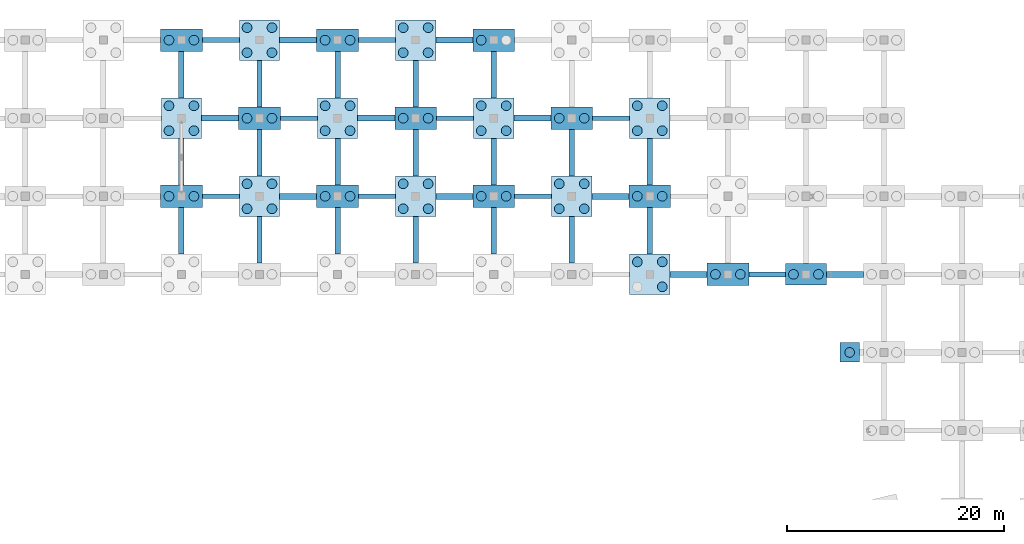
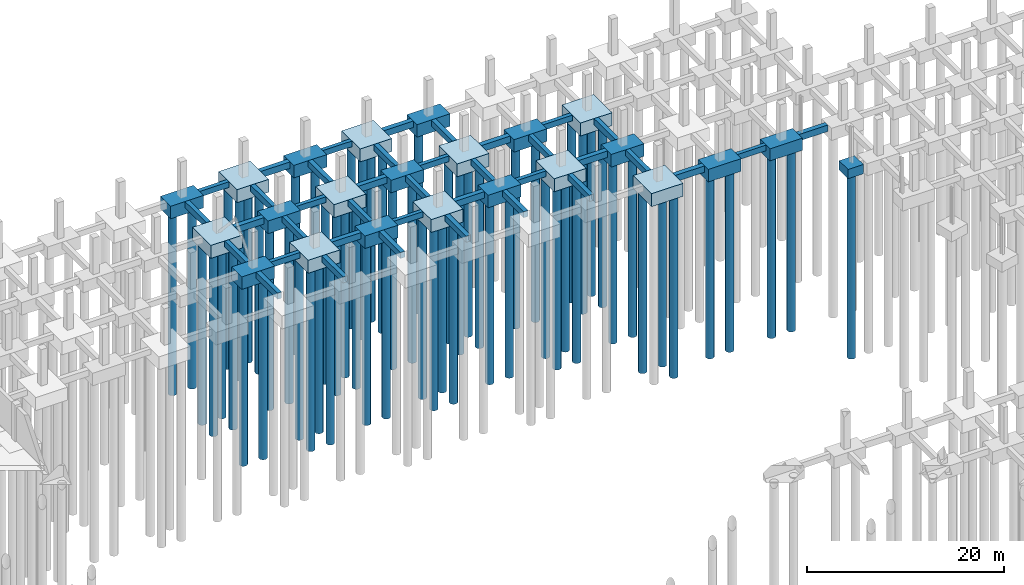
# One storey, part 9 of 36: 63 piles, 61 footings.
"""IFC4 building model written with IfcOpenShell, lengths in metres."""

from ifc_helpers import new_model, si_unit, direction, frame, origin, origin_2d, place, context, subcontext, project, spatial, rectangle, circle, extrude, material, material_profile, profile_set, type_object, element, save


model = new_model("IFC4")

# Units and contexts
model_context = context("Model", 3, precision=1e-05, world=origin(), true_north=direction((0.0, 1.0)))
body_context = subcontext(model_context, "Body", "Model", "MODEL_VIEW")
ifc_project = project(units=[si_unit("LENGTHUNIT", "METRE"), si_unit("AREAUNIT", "SQUARE_METRE"), si_unit("VOLUMEUNIT", "CUBIC_METRE"), si_unit("PLANEANGLEUNIT", "RADIAN"), si_unit("MASSUNIT", "GRAM", prefix="KILO")], contexts=[model_context])

# Site, building, storey
site_placement = place(None, origin())
site = spatial("IfcSite", under=ifc_project, at=site_placement, CompositionType="ELEMENT")
building_placement = place(site_placement, origin())
building = spatial("IfcBuilding", under=site, at=building_placement, Name="Kalmorath City Hall", CompositionType="ELEMENT")
storey_placement = place(building_placement, frame((0.0, 0.0, -4.5)))
storey = spatial("IfcBuildingStorey", under=building, at=storey_placement, Name="B1", CompositionType="ELEMENT", Elevation=-4.5)

# Piles
ifc_material_1 = material(Name="Concrete C40/50", Category="concrete")
ifc_material_profile_1 = material_profile(ifc_material_1, circle(Radius=0.449951171875, at=origin_2d()), Name="PILE-D900")
ifc_profile_set_1 = profile_set([ifc_material_profile_1], Name="Concrete C40/50")
pile_type = type_object("IfcPileType", Name="Bored concrete pile D900", PredefinedType="BORED", material=ifc_profile_set_1)
for number, where, z_axis, x_axis, name in (
    (1, (63.64990234375, 100.800048828125, -1.449951171875), (0.0, 0.0, -1.0), (1.0, 0.0, 0.0), "Bored pile PL-900 10.15.1"),
    (2, (65.949951171875, 100.800048828125, -1.449951171875), (0.0, 0.0, -1.0), (1.0, 0.0, 0.0), "Bored pile PL-900 10.15.2"),
):
    element("IfcPile", number, at=place(storey_placement, frame(where, z_axis=z_axis, x_axis=x_axis)), inside=storey, type_object=pile_type, Name=name, PredefinedType="BORED", context=body_context, shape_type="SweptSolid", body=[
        extrude(circle(Radius=0.449951171875, at=origin_2d()), origin(), (0.0, 0.0, 1.0), 22.550048828125),
    ])
for number, where, z_axis, x_axis, name in (
    (3, (63.64990234375, 106.85009765625, -1.5), (0.0, 0.0, -1.0), (1.0, 0.0, 0.0), "Bored pile PL-900 10.16.1"),
    (4, (65.949951171875, 106.85009765625, -1.5), (0.0, 0.0, -1.0), (1.0, 0.0, 0.0), "Bored pile PL-900 10.16.2"),
    (5, (63.64990234375, 109.14990234375, -1.5), (0.0, 0.0, -1.0), (1.0, 0.0, 0.0), "Bored pile PL-900 10.16.3"),
    (6, (65.949951171875, 109.14990234375, -1.5), (0.0, 0.0, -1.0), (1.0, 0.0, 0.0), "Bored pile PL-900 10.16.4"),
):
    element("IfcPile", number, at=place(storey_placement, frame(where, z_axis=z_axis, x_axis=x_axis)), inside=storey, type_object=pile_type, Name=name, PredefinedType="BORED", context=body_context, shape_type="SweptSolid", body=[
        extrude(circle(Radius=0.449951171875, at=origin_2d()), origin(), (0.0, 0.0, 1.0), 22.5),
    ])
for number, where, z_axis, x_axis, name in (
    (7, (63.64990234375, 115.199951171875, -1.449951171875), (0.0, 0.0, -1.0), (1.0, 0.0, 0.0), "Bored pile PL-900 10.17.1"),
    (8, (65.949951171875, 115.199951171875, -1.449951171875), (0.0, 0.0, -1.0), (1.0, 0.0, 0.0), "Bored pile PL-900 10.17.2"),
):
    element("IfcPile", number, at=place(storey_placement, frame(where, z_axis=z_axis, x_axis=x_axis)), inside=storey, type_object=pile_type, Name=name, PredefinedType="BORED", context=body_context, shape_type="SweptSolid", body=[
        extrude(circle(Radius=0.449951171875, at=origin_2d()), origin(), (0.0, 0.0, 1.0), 22.550048828125),
    ])
for number, where, z_axis, x_axis, name in (
    (9, (70.85009765625, 99.64990234375, -1.5), (0.0, 0.0, -1.0), (1.0, 0.0, 0.0), "Bored pile PL-900 11.15.1"),
    (10, (73.14990234375, 99.64990234375, -1.5), (0.0, 0.0, -1.0), (1.0, 0.0, 0.0), "Bored pile PL-900 11.15.2"),
    (11, (70.85009765625, 101.949951171875, -1.5), (0.0, 0.0, -1.0), (1.0, 0.0, 0.0), "Bored pile PL-900 11.15.3"),
    (12, (73.14990234375, 101.949951171875, -1.5), (0.0, 0.0, -1.0), (1.0, 0.0, 0.0), "Bored pile PL-900 11.15.4"),
):
    element("IfcPile", number, at=place(storey_placement, frame(where, z_axis=z_axis, x_axis=x_axis)), inside=storey, type_object=pile_type, Name=name, PredefinedType="BORED", context=body_context, shape_type="SweptSolid", body=[
        extrude(circle(Radius=0.449951171875, at=origin_2d()), origin(), (0.0, 0.0, 1.0), 22.5),
    ])
for number, where, z_axis, x_axis, name in (
    (13, (70.85009765625, 108.0, -1.449951171875), (0.0, 0.0, -1.0), (1.0, 0.0, 0.0), "Bored pile PL-900 11.16.1"),
    (14, (73.14990234375, 108.0, -1.449951171875), (0.0, 0.0, -1.0), (1.0, 0.0, 0.0), "Bored pile PL-900 11.16.2"),
):
    element("IfcPile", number, at=place(storey_placement, frame(where, z_axis=z_axis, x_axis=x_axis)), inside=storey, type_object=pile_type, Name=name, PredefinedType="BORED", context=body_context, shape_type="SweptSolid", body=[
        extrude(circle(Radius=0.449951171875, at=origin_2d()), origin(), (0.0, 0.0, 1.0), 22.550048828125),
    ])
for number, where, z_axis, x_axis, name in (
    (15, (70.85009765625, 114.050048828125, -1.5), (0.0, 0.0, -1.0), (1.0, 0.0, 0.0), "Bored pile PL-900 11.17.1"),
    (16, (73.14990234375, 114.050048828125, -1.5), (0.0, 0.0, -1.0), (1.0, 0.0, 0.0), "Bored pile PL-900 11.17.2"),
    (17, (70.85009765625, 116.35009765625, -1.5), (0.0, 0.0, -1.0), (1.0, 0.0, 0.0), "Bored pile PL-900 11.17.3"),
    (18, (73.14990234375, 116.35009765625, -1.5), (0.0, 0.0, -1.0), (1.0, 0.0, 0.0), "Bored pile PL-900 11.17.4"),
):
    element("IfcPile", number, at=place(storey_placement, frame(where, z_axis=z_axis, x_axis=x_axis)), inside=storey, type_object=pile_type, Name=name, PredefinedType="BORED", context=body_context, shape_type="SweptSolid", body=[
        extrude(circle(Radius=0.449951171875, at=origin_2d()), origin(), (0.0, 0.0, 1.0), 22.5),
    ])
for number, where, z_axis, x_axis, name in (
    (19, (78.050048828125, 100.800048828125, -1.449951171875), (0.0, 0.0, -1.0), (1.0, 0.0, 0.0), "Bored pile PL-900 12.15.1"),
    (20, (80.35009765625, 100.800048828125, -1.449951171875), (0.0, 0.0, -1.0), (1.0, 0.0, 0.0), "Bored pile PL-900 12.15.2"),
):
    element("IfcPile", number, at=place(storey_placement, frame(where, z_axis=z_axis, x_axis=x_axis)), inside=storey, type_object=pile_type, Name=name, PredefinedType="BORED", context=body_context, shape_type="SweptSolid", body=[
        extrude(circle(Radius=0.449951171875, at=origin_2d()), origin(), (0.0, 0.0, 1.0), 22.550048828125),
    ])
for number, where, z_axis, x_axis, name in (
    (21, (78.050048828125, 106.85009765625, -1.5), (0.0, 0.0, -1.0), (1.0, 0.0, 0.0), "Bored pile PL-900 12.16.1"),
    (22, (80.35009765625, 106.85009765625, -1.5), (0.0, 0.0, -1.0), (1.0, 0.0, 0.0), "Bored pile PL-900 12.16.2"),
    (23, (78.050048828125, 109.14990234375, -1.5), (0.0, 0.0, -1.0), (1.0, 0.0, 0.0), "Bored pile PL-900 12.16.3"),
    (24, (80.35009765625, 109.14990234375, -1.5), (0.0, 0.0, -1.0), (1.0, 0.0, 0.0), "Bored pile PL-900 12.16.4"),
):
    element("IfcPile", number, at=place(storey_placement, frame(where, z_axis=z_axis, x_axis=x_axis)), inside=storey, type_object=pile_type, Name=name, PredefinedType="BORED", context=body_context, shape_type="SweptSolid", body=[
        extrude(circle(Radius=0.449951171875, at=origin_2d()), origin(), (0.0, 0.0, 1.0), 22.5),
    ])
for number, where, z_axis, x_axis, name in (
    (25, (78.050048828125, 115.199951171875, -1.449951171875), (0.0, 0.0, -1.0), (1.0, 0.0, 0.0), "Bored pile PL-900 12.17.1"),
    (26, (80.35009765625, 115.199951171875, -1.449951171875), (0.0, 0.0, -1.0), (1.0, 0.0, 0.0), "Bored pile PL-900 12.17.2"),
):
    element("IfcPile", number, at=place(storey_placement, frame(where, z_axis=z_axis, x_axis=x_axis)), inside=storey, type_object=pile_type, Name=name, PredefinedType="BORED", context=body_context, shape_type="SweptSolid", body=[
        extrude(circle(Radius=0.449951171875, at=origin_2d()), origin(), (0.0, 0.0, 1.0), 22.550048828125),
    ])
for number, where, z_axis, x_axis, name in (
    (27, (85.25, 99.64990234375, -1.5), (0.0, 0.0, -1.0), (1.0, 0.0, 0.0), "Bored pile PL-900 13.15.1"),
    (28, (87.550048828125, 99.64990234375, -1.5), (0.0, 0.0, -1.0), (1.0, 0.0, 0.0), "Bored pile PL-900 13.15.2"),
    (29, (85.25, 101.949951171875, -1.5), (0.0, 0.0, -1.0), (1.0, 0.0, 0.0), "Bored pile PL-900 13.15.3"),
    (30, (87.550048828125, 101.949951171875, -1.5), (0.0, 0.0, -1.0), (1.0, 0.0, 0.0), "Bored pile PL-900 13.15.4"),
):
    element("IfcPile", number, at=place(storey_placement, frame(where, z_axis=z_axis, x_axis=x_axis)), inside=storey, type_object=pile_type, Name=name, PredefinedType="BORED", context=body_context, shape_type="SweptSolid", body=[
        extrude(circle(Radius=0.449951171875, at=origin_2d()), origin(), (0.0, 0.0, 1.0), 22.5),
    ])
for number, where, z_axis, x_axis, name in (
    (31, (85.25, 108.0, -1.449951171875), (0.0, 0.0, -1.0), (1.0, 0.0, 0.0), "Bored pile PL-900 13.16.1"),
    (32, (87.550048828125, 108.0, -1.449951171875), (0.0, 0.0, -1.0), (1.0, 0.0, 0.0), "Bored pile PL-900 13.16.2"),
):
    element("IfcPile", number, at=place(storey_placement, frame(where, z_axis=z_axis, x_axis=x_axis)), inside=storey, type_object=pile_type, Name=name, PredefinedType="BORED", context=body_context, shape_type="SweptSolid", body=[
        extrude(circle(Radius=0.449951171875, at=origin_2d()), origin(), (0.0, 0.0, 1.0), 22.550048828125),
    ])
for number, where, z_axis, x_axis, name in (
    (33, (85.25, 114.050048828125, -1.5), (0.0, 0.0, -1.0), (1.0, 0.0, 0.0), "Bored pile PL-900 13.17.1"),
    (34, (87.550048828125, 114.050048828125, -1.5), (0.0, 0.0, -1.0), (1.0, 0.0, 0.0), "Bored pile PL-900 13.17.2"),
    (35, (85.25, 116.35009765625, -1.5), (0.0, 0.0, -1.0), (1.0, 0.0, 0.0), "Bored pile PL-900 13.17.3"),
    (36, (87.550048828125, 116.35009765625, -1.5), (0.0, 0.0, -1.0), (1.0, 0.0, 0.0), "Bored pile PL-900 13.17.4"),
):
    element("IfcPile", number, at=place(storey_placement, frame(where, z_axis=z_axis, x_axis=x_axis)), inside=storey, type_object=pile_type, Name=name, PredefinedType="BORED", context=body_context, shape_type="SweptSolid", body=[
        extrude(circle(Radius=0.449951171875, at=origin_2d()), origin(), (0.0, 0.0, 1.0), 22.5),
    ])
for number, where, z_axis, x_axis, name in (
    (37, (92.449951171875, 100.800048828125, -1.449951171875), (0.0, 0.0, -1.0), (1.0, 0.0, 0.0), "Bored pile PL-900 14.15.1"),
    (38, (94.75, 100.800048828125, -1.449951171875), (0.0, 0.0, -1.0), (1.0, 0.0, 0.0), "Bored pile PL-900 14.15.2"),
):
    element("IfcPile", number, at=place(storey_placement, frame(where, z_axis=z_axis, x_axis=x_axis)), inside=storey, type_object=pile_type, Name=name, PredefinedType="BORED", context=body_context, shape_type="SweptSolid", body=[
        extrude(circle(Radius=0.449951171875, at=origin_2d()), origin(), (0.0, 0.0, 1.0), 22.550048828125),
    ])
for number, where, z_axis, x_axis, name in (
    (39, (92.449951171875, 106.85009765625, -1.5), (0.0, 0.0, -1.0), (1.0, 0.0, 0.0), "Bored pile PL-900 14.16.1"),
    (40, (94.75, 106.85009765625, -1.5), (0.0, 0.0, -1.0), (1.0, 0.0, 0.0), "Bored pile PL-900 14.16.2"),
    (41, (92.449951171875, 109.14990234375, -1.5), (0.0, 0.0, -1.0), (1.0, 0.0, 0.0), "Bored pile PL-900 14.16.3"),
    (42, (94.75, 109.14990234375, -1.5), (0.0, 0.0, -1.0), (1.0, 0.0, 0.0), "Bored pile PL-900 14.16.4"),
):
    element("IfcPile", number, at=place(storey_placement, frame(where, z_axis=z_axis, x_axis=x_axis)), inside=storey, type_object=pile_type, Name=name, PredefinedType="BORED", context=body_context, shape_type="SweptSolid", body=[
        extrude(circle(Radius=0.449951171875, at=origin_2d()), origin(), (0.0, 0.0, 1.0), 22.5),
    ])
pile_1_placement = place(storey_placement, frame((92.449951171875, 115.199951171875, -1.449951171875), z_axis=(0.0, 0.0, -1.0), x_axis=(1.0, 0.0, 0.0)))
element("IfcPile", 43, at=pile_1_placement, inside=storey, type_object=pile_type, Name="Bored pile PL-900 14.17.1", PredefinedType="BORED", context=body_context, shape_type="SweptSolid", body=[
    extrude(circle(Radius=0.449951171875, at=origin_2d()), origin(), (0.0, 0.0, 1.0), 22.550048828125),
])
for number, where, z_axis, x_axis, name in (
    (44, (99.64990234375, 99.64990234375, -1.5), (0.0, 0.0, -1.0), (1.0, 0.0, 0.0), "Bored pile PL-900 15.15.1"),
    (45, (101.949951171875, 99.64990234375, -1.5), (0.0, 0.0, -1.0), (1.0, 0.0, 0.0), "Bored pile PL-900 15.15.2"),
    (46, (99.64990234375, 101.949951171875, -1.5), (0.0, 0.0, -1.0), (1.0, 0.0, 0.0), "Bored pile PL-900 15.15.3"),
    (47, (101.949951171875, 101.949951171875, -1.5), (0.0, 0.0, -1.0), (1.0, 0.0, 0.0), "Bored pile PL-900 15.15.4"),
):
    element("IfcPile", number, at=place(storey_placement, frame(where, z_axis=z_axis, x_axis=x_axis)), inside=storey, type_object=pile_type, Name=name, PredefinedType="BORED", context=body_context, shape_type="SweptSolid", body=[
        extrude(circle(Radius=0.449951171875, at=origin_2d()), origin(), (0.0, 0.0, 1.0), 22.5),
    ])
for number, where, z_axis, x_axis, name in (
    (48, (99.64990234375, 108.0, -1.449951171875), (0.0, 0.0, -1.0), (1.0, 0.0, 0.0), "Bored pile PL-900 15.16.1"),
    (49, (101.949951171875, 108.0, -1.449951171875), (0.0, 0.0, -1.0), (1.0, 0.0, 0.0), "Bored pile PL-900 15.16.2"),
):
    element("IfcPile", number, at=place(storey_placement, frame(where, z_axis=z_axis, x_axis=x_axis)), inside=storey, type_object=pile_type, Name=name, PredefinedType="BORED", context=body_context, shape_type="SweptSolid", body=[
        extrude(circle(Radius=0.449951171875, at=origin_2d()), origin(), (0.0, 0.0, 1.0), 22.550048828125),
    ])
for number, where, z_axis, x_axis, name in (
    (50, (109.14990234375, 92.449951171875, -1.5), (0.0, 0.0, -1.0), (1.0, 0.0, 0.0), "Bored pile PL-900 16.14.2"),
    (51, (106.85009765625, 94.75, -1.5), (0.0, 0.0, -1.0), (1.0, 0.0, 0.0), "Bored pile PL-900 16.14.3"),
    (52, (109.14990234375, 94.75, -1.5), (0.0, 0.0, -1.0), (1.0, 0.0, 0.0), "Bored pile PL-900 16.14.4"),
):
    element("IfcPile", number, at=place(storey_placement, frame(where, z_axis=z_axis, x_axis=x_axis)), inside=storey, type_object=pile_type, Name=name, PredefinedType="BORED", context=body_context, shape_type="SweptSolid", body=[
        extrude(circle(Radius=0.449951171875, at=origin_2d()), origin(), (0.0, 0.0, 1.0), 22.5),
    ])
for number, where, z_axis, x_axis, name in (
    (53, (106.85009765625, 100.800048828125, -1.449951171875), (0.0, 0.0, -1.0), (1.0, 0.0, 0.0), "Bored pile PL-900 16.15.1"),
    (54, (109.14990234375, 100.800048828125, -1.449951171875), (0.0, 0.0, -1.0), (1.0, 0.0, 0.0), "Bored pile PL-900 16.15.2"),
):
    element("IfcPile", number, at=place(storey_placement, frame(where, z_axis=z_axis, x_axis=x_axis)), inside=storey, type_object=pile_type, Name=name, PredefinedType="BORED", context=body_context, shape_type="SweptSolid", body=[
        extrude(circle(Radius=0.449951171875, at=origin_2d()), origin(), (0.0, 0.0, 1.0), 22.550048828125),
    ])
for number, where, z_axis, x_axis, name in (
    (55, (106.85009765625, 106.85009765625, -1.5), (0.0, 0.0, -1.0), (1.0, 0.0, 0.0), "Bored pile PL-900 16.16.1"),
    (56, (109.14990234375, 106.85009765625, -1.5), (0.0, 0.0, -1.0), (1.0, 0.0, 0.0), "Bored pile PL-900 16.16.2"),
    (57, (106.85009765625, 109.14990234375, -1.5), (0.0, 0.0, -1.0), (1.0, 0.0, 0.0), "Bored pile PL-900 16.16.3"),
    (58, (109.14990234375, 109.14990234375, -1.5), (0.0, 0.0, -1.0), (1.0, 0.0, 0.0), "Bored pile PL-900 16.16.4"),
):
    element("IfcPile", number, at=place(storey_placement, frame(where, z_axis=z_axis, x_axis=x_axis)), inside=storey, type_object=pile_type, Name=name, PredefinedType="BORED", context=body_context, shape_type="SweptSolid", body=[
        extrude(circle(Radius=0.449951171875, at=origin_2d()), origin(), (0.0, 0.0, 1.0), 22.5),
    ])
for number, where, z_axis, x_axis, name in (
    (59, (114.050048828125, 93.60009765625, -1.449951171875), (0.0, 0.0, -1.0), (1.0, 0.0, 0.0), "Bored pile PL-900 17.14.1"),
    (60, (116.35009765625, 93.60009765625, -1.449951171875), (0.0, 0.0, -1.0), (1.0, 0.0, 0.0), "Bored pile PL-900 17.14.2"),
):
    element("IfcPile", number, at=place(storey_placement, frame(where, z_axis=z_axis, x_axis=x_axis)), inside=storey, type_object=pile_type, Name=name, PredefinedType="BORED", context=body_context, shape_type="SweptSolid", body=[
        extrude(circle(Radius=0.449951171875, at=origin_2d()), origin(), (0.0, 0.0, 1.0), 22.550048828125),
    ])
for number, where, z_axis, x_axis, name in (
    (61, (121.25, 93.60009765625, -1.39990234375), (0.0, 0.0, -1.0), (1.0, 0.0, 0.0), "Bored pile PL-900 18.14.1"),
    (62, (123.550048828125, 93.60009765625, -1.39990234375), (0.0, 0.0, -1.0), (1.0, 0.0, 0.0), "Bored pile PL-900 18.14.2"),
):
    element("IfcPile", number, at=place(storey_placement, frame(where, z_axis=z_axis, x_axis=x_axis)), inside=storey, type_object=pile_type, Name=name, PredefinedType="BORED", context=body_context, shape_type="SweptSolid", body=[
        extrude(circle(Radius=0.449951171875, at=origin_2d()), origin(), (0.0, 0.0, 1.0), 22.60009765625),
    ])
pile_2_placement = place(storey_placement, frame((126.4287109375, 86.39990234375, -1.050048828125), z_axis=(0.0, 0.0, -1.0), x_axis=(1.0, 0.0, 0.0)))
element("IfcPile", 63, at=pile_2_placement, inside=storey, type_object=pile_type, Name="Library splay pedestal pile PL-900-7", PredefinedType="BORED", context=body_context, shape_type="SweptSolid", body=[
    extrude(circle(Radius=0.449951171875, at=origin_2d()), origin(), (0.0, 0.0, 1.0), 22.949951171875),
])

# Footings
ifc_material_2 = material(Name="Concrete C40/50", Category="concrete")
ifc_material_profile_2 = material_profile(ifc_material_2, rectangle(XDim=0.449951171875, YDim=0.699951171875, at=origin_2d()), Name="RC-BM-450X700")
ifc_profile_set_2 = profile_set([ifc_material_profile_2], Name="Concrete C40/50")
footing_type_1 = type_object("IfcFootingType", Name="Concrete ground tie beam 450x700", PredefinedType="FOOTING_BEAM", material=ifc_profile_set_2)
for number, where, z_axis, x_axis, name in (
    (64, (66.72509765625, 100.800048828125, -0.35009765625), (1.0, 0.0, 0.0), (0.0, 1.0, 0.0), "Ground tie beam GB4 X10-15"),
    (65, (66.72509765625, 115.199951171875, -0.35009765625), (1.0, 0.0, 0.0), (0.0, 1.0, 0.0), "Ground tie beam GB4 X10-17"),
):
    element("IfcFooting", number, at=place(storey_placement, frame(where, z_axis=z_axis, x_axis=x_axis)), inside=storey, type_object=footing_type_1, Name=name, PredefinedType="FOOTING_BEAM", context=body_context, shape_type="SweptSolid", body=[
        extrude(rectangle(XDim=0.449951171875, YDim=0.699951171875, at=origin_2d()), origin(), (0.0, 0.0, 1.0), 3.414794921875),
    ])
for number, where, z_axis, x_axis, name in (
    (66, (73.925048828125, 108.0, -0.35009765625), (1.0, 0.0, 0.0), (0.0, 1.0, 0.0), "Ground tie beam GB4 X11-16"),
    (67, (81.125, 100.800048828125, -0.35009765625), (1.0, 0.0, 0.0), (0.0, 1.0, 0.0), "Ground tie beam GB4 X12-15"),
    (68, (81.125, 115.199951171875, -0.35009765625), (1.0, 0.0, 0.0), (0.0, 1.0, 0.0), "Ground tie beam GB4 X12-17"),
    (69, (88.324951171875, 108.0, -0.35009765625), (1.0, 0.0, 0.0), (0.0, 1.0, 0.0), "Ground tie beam GB4 X13-16"),
    (70, (95.52490234375, 100.800048828125, -0.35009765625), (1.0, 0.0, 0.0), (0.0, 1.0, 0.0), "Ground tie beam GB4 X14-15"),
):
    element("IfcFooting", number, at=place(storey_placement, frame(where, z_axis=z_axis, x_axis=x_axis)), inside=storey, type_object=footing_type_1, Name=name, PredefinedType="FOOTING_BEAM", context=body_context, shape_type="SweptSolid", body=[
        extrude(rectangle(XDim=0.449951171875, YDim=0.699951171875, at=origin_2d()), origin(), (0.0, 0.0, 1.0), 3.4150390625),
    ])
footing_1_placement = place(storey_placement, frame((102.72509765625, 108.0, -0.35009765625), z_axis=(1.0, 0.0, 0.0), x_axis=(0.0, 1.0, 0.0)))
element("IfcFooting", 71, at=footing_1_placement, inside=storey, type_object=footing_type_1, Name="Ground tie beam GB4 X15-16", PredefinedType="FOOTING_BEAM", context=body_context, shape_type="SweptSolid", body=[
    extrude(rectangle(XDim=0.449951171875, YDim=0.699951171875, at=origin_2d()), origin(), (0.0, 0.0, 1.0), 3.414794921875),
])
footing_2_placement = place(storey_placement, frame((117.125, 93.60009765625, -0.35009765625), z_axis=(1.0, 0.0, 0.0), x_axis=(0.0, 1.0, 0.0)))
element("IfcFooting", 72, at=footing_2_placement, inside=storey, type_object=footing_type_1, Name="Ground tie beam GB4 X17-14", PredefinedType="FOOTING_BEAM", context=body_context, shape_type="SweptSolid", body=[
    extrude(rectangle(XDim=0.449951171875, YDim=0.699951171875, at=origin_2d()), origin(), (0.0, 0.0, 1.0), 3.375),
])
ifc_material_3 = material(Name="Concrete C40/50", Category="concrete")
ifc_material_profile_3 = material_profile(ifc_material_3, rectangle(XDim=0.5, YDim=0.75, at=origin_2d()), Name="RC-BM-500X750")
ifc_profile_set_3 = profile_set([ifc_material_profile_3], Name="Concrete C40/50")
footing_type_2 = type_object("IfcFootingType", Name="Concrete ground tie beam 500x750", PredefinedType="FOOTING_BEAM", material=ifc_profile_set_3)
for number, where, z_axis, x_axis, name in (
    (73, (64.800048828125, 95.4599609375, -0.375), (0.0, 1.0, 0.0), (-1.0, 0.0, 0.0), "Ground tie beam GB3 Y10-14"),
    (74, (64.800048828125, 101.824951171875, -0.375), (0.0, 1.0, 0.0), (-1.0, 0.0, 0.0), "Ground tie beam GB3 Y10-15"),
    (75, (64.800048828125, 109.860107421875, -0.375), (0.0, 1.0, 0.0), (-1.0, 0.0, 0.0), "Ground tie beam GB3 Y10-16"),
    (76, (72.0, 94.625, -0.375), (0.0, 1.0, 0.0), (-1.0, 0.0, 0.0), "Ground tie beam GB3 Y11-14"),
):
    element("IfcFooting", number, at=place(storey_placement, frame(where, z_axis=z_axis, x_axis=x_axis)), inside=storey, type_object=footing_type_2, Name=name, PredefinedType="FOOTING_BEAM", context=body_context, shape_type="SweptSolid", body=[
        extrude(rectangle(XDim=0.5, YDim=0.75, at=origin_2d()), origin(), (0.0, 0.0, 1.0), 4.31494140625),
    ])
for number, where, z_axis, x_axis, name in (
    (77, (72.0, 102.659912109375, -0.375), (0.0, 1.0, 0.0), (-1.0, 0.0, 0.0), "Ground tie beam GB3 Y11-15"),
    (78, (72.0, 109.02490234375, -0.375), (0.0, 1.0, 0.0), (-1.0, 0.0, 0.0), "Ground tie beam GB3 Y11-16"),
):
    element("IfcFooting", number, at=place(storey_placement, frame(where, z_axis=z_axis, x_axis=x_axis)), inside=storey, type_object=footing_type_2, Name=name, PredefinedType="FOOTING_BEAM", context=body_context, shape_type="SweptSolid", body=[
        extrude(rectangle(XDim=0.5, YDim=0.75, at=origin_2d()), origin(), (0.0, 0.0, 1.0), 4.315185546875),
    ])
for number, where, z_axis, x_axis, name in (
    (79, (79.199951171875, 95.4599609375, -0.375), (0.0, 1.0, 0.0), (-1.0, 0.0, 0.0), "Ground tie beam GB3 Y12-14"),
    (80, (79.199951171875, 101.824951171875, -0.375), (0.0, 1.0, 0.0), (-1.0, 0.0, 0.0), "Ground tie beam GB3 Y12-15"),
    (81, (79.199951171875, 109.860107421875, -0.375), (0.0, 1.0, 0.0), (-1.0, 0.0, 0.0), "Ground tie beam GB3 Y12-16"),
    (82, (86.39990234375, 94.625, -0.375), (0.0, 1.0, 0.0), (-1.0, 0.0, 0.0), "Ground tie beam GB3 Y13-14"),
):
    element("IfcFooting", number, at=place(storey_placement, frame(where, z_axis=z_axis, x_axis=x_axis)), inside=storey, type_object=footing_type_2, Name=name, PredefinedType="FOOTING_BEAM", context=body_context, shape_type="SweptSolid", body=[
        extrude(rectangle(XDim=0.5, YDim=0.75, at=origin_2d()), origin(), (0.0, 0.0, 1.0), 4.31494140625),
    ])
for number, where, z_axis, x_axis, name in (
    (83, (86.39990234375, 102.659912109375, -0.375), (0.0, 1.0, 0.0), (-1.0, 0.0, 0.0), "Ground tie beam GB3 Y13-15"),
    (84, (86.39990234375, 109.02490234375, -0.375), (0.0, 1.0, 0.0), (-1.0, 0.0, 0.0), "Ground tie beam GB3 Y13-16"),
):
    element("IfcFooting", number, at=place(storey_placement, frame(where, z_axis=z_axis, x_axis=x_axis)), inside=storey, type_object=footing_type_2, Name=name, PredefinedType="FOOTING_BEAM", context=body_context, shape_type="SweptSolid", body=[
        extrude(rectangle(XDim=0.5, YDim=0.75, at=origin_2d()), origin(), (0.0, 0.0, 1.0), 4.315185546875),
    ])
for number, where, z_axis, x_axis, name in (
    (85, (93.60009765625, 95.4599609375, -0.375), (0.0, 1.0, 0.0), (-1.0, 0.0, 0.0), "Ground tie beam GB3 Y14-14"),
    (86, (93.60009765625, 101.824951171875, -0.375), (0.0, 1.0, 0.0), (-1.0, 0.0, 0.0), "Ground tie beam GB3 Y14-15"),
    (87, (93.60009765625, 109.860107421875, -0.375), (0.0, 1.0, 0.0), (-1.0, 0.0, 0.0), "Ground tie beam GB3 Y14-16"),
    (88, (100.800048828125, 94.625, -0.375), (0.0, 1.0, 0.0), (-1.0, 0.0, 0.0), "Ground tie beam GB3 Y15-14"),
):
    element("IfcFooting", number, at=place(storey_placement, frame(where, z_axis=z_axis, x_axis=x_axis)), inside=storey, type_object=footing_type_2, Name=name, PredefinedType="FOOTING_BEAM", context=body_context, shape_type="SweptSolid", body=[
        extrude(rectangle(XDim=0.5, YDim=0.75, at=origin_2d()), origin(), (0.0, 0.0, 1.0), 4.31494140625),
    ])
footing_3_placement = place(storey_placement, frame((100.800048828125, 102.659912109375, -0.375), z_axis=(0.0, 1.0, 0.0), x_axis=(-1.0, 0.0, 0.0)))
element("IfcFooting", 89, at=footing_3_placement, inside=storey, type_object=footing_type_2, Name="Ground tie beam GB3 Y15-15", PredefinedType="FOOTING_BEAM", context=body_context, shape_type="SweptSolid", body=[
    extrude(rectangle(XDim=0.5, YDim=0.75, at=origin_2d()), origin(), (0.0, 0.0, 1.0), 4.315185546875),
])
for number, where, z_axis, x_axis, name in (
    (90, (108.0, 95.4599609375, -0.375), (0.0, 1.0, 0.0), (-1.0, 0.0, 0.0), "Ground tie beam GB3 Y16-14"),
    (91, (108.0, 101.824951171875, -0.375), (0.0, 1.0, 0.0), (-1.0, 0.0, 0.0), "Ground tie beam GB3 Y16-15"),
):
    element("IfcFooting", number, at=place(storey_placement, frame(where, z_axis=z_axis, x_axis=x_axis)), inside=storey, type_object=footing_type_2, Name=name, PredefinedType="FOOTING_BEAM", context=body_context, shape_type="SweptSolid", body=[
        extrude(rectangle(XDim=0.5, YDim=0.75, at=origin_2d()), origin(), (0.0, 0.0, 1.0), 4.31494140625),
    ])
ifc_material_4 = material(Name="Concrete C40/50", Category="concrete")
ifc_material_profile_4 = material_profile(ifc_material_4, rectangle(XDim=0.550048828125, YDim=0.800048828125, at=origin_2d()), Name="RC-BM-550X800")
ifc_profile_set_4 = profile_set([ifc_material_profile_4], Name="Concrete C40/50")
footing_type_3 = type_object("IfcFootingType", Name="Concrete ground tie beam 550x800", PredefinedType="FOOTING_BEAM", material=ifc_profile_set_4)
footing_4_placement = place(storey_placement, frame((66.659912109375, 108.0, -0.39990234375), z_axis=(1.0, 0.0, 0.0), x_axis=(0.0, 1.0, 0.0)))
element("IfcFooting", 92, at=footing_4_placement, inside=storey, type_object=footing_type_3, Name="Ground tie beam GB2 X10-16", PredefinedType="FOOTING_BEAM", context=body_context, shape_type="SweptSolid", body=[
    extrude(rectangle(XDim=0.550048828125, YDim=0.800048828125, at=origin_2d()), origin(), (0.0, 0.0, 1.0), 3.4150390625),
])
for number, where, z_axis, x_axis, name in (
    (93, (73.860107421875, 100.800048828125, -0.39990234375), (1.0, 0.0, 0.0), (0.0, 1.0, 0.0), "Ground tie beam GB2 X11-15"),
    (94, (73.860107421875, 115.199951171875, -0.39990234375), (1.0, 0.0, 0.0), (0.0, 1.0, 0.0), "Ground tie beam GB2 X11-17"),
):
    element("IfcFooting", number, at=place(storey_placement, frame(where, z_axis=z_axis, x_axis=x_axis)), inside=storey, type_object=footing_type_3, Name=name, PredefinedType="FOOTING_BEAM", context=body_context, shape_type="SweptSolid", body=[
        extrude(rectangle(XDim=0.550048828125, YDim=0.800048828125, at=origin_2d()), origin(), (0.0, 0.0, 1.0), 3.414794921875),
    ])
for number, where, z_axis, x_axis, name in (
    (95, (81.06005859375, 108.0, -0.39990234375), (1.0, 0.0, 0.0), (0.0, 1.0, 0.0), "Ground tie beam GB2 X12-16"),
    (96, (88.260009765625, 100.800048828125, -0.39990234375), (1.0, 0.0, 0.0), (0.0, 1.0, 0.0), "Ground tie beam GB2 X13-15"),
    (97, (88.260009765625, 115.199951171875, -0.39990234375), (1.0, 0.0, 0.0), (0.0, 1.0, 0.0), "Ground tie beam GB2 X13-17"),
    (98, (95.4599609375, 108.0, -0.39990234375), (1.0, 0.0, 0.0), (0.0, 1.0, 0.0), "Ground tie beam GB2 X14-16"),
    (99, (102.659912109375, 100.800048828125, -0.39990234375), (1.0, 0.0, 0.0), (0.0, 1.0, 0.0), "Ground tie beam GB2 X15-15"),
):
    element("IfcFooting", number, at=place(storey_placement, frame(where, z_axis=z_axis, x_axis=x_axis)), inside=storey, type_object=footing_type_3, Name=name, PredefinedType="FOOTING_BEAM", context=body_context, shape_type="SweptSolid", body=[
        extrude(rectangle(XDim=0.550048828125, YDim=0.800048828125, at=origin_2d()), origin(), (0.0, 0.0, 1.0), 3.4150390625),
    ])
footing_5_placement = place(storey_placement, frame((109.860107421875, 93.60009765625, -0.39990234375), z_axis=(1.0, 0.0, 0.0), x_axis=(0.0, 1.0, 0.0)))
element("IfcFooting", 100, at=footing_5_placement, inside=storey, type_object=footing_type_3, Name="Ground tie beam GB2 X16-14", PredefinedType="FOOTING_BEAM", context=body_context, shape_type="SweptSolid", body=[
    extrude(rectangle(XDim=0.550048828125, YDim=0.800048828125, at=origin_2d()), origin(), (0.0, 0.0, 1.0), 3.414794921875),
])
footing_6_placement = place(storey_placement, frame((124.300048828125, 93.60009765625, -0.39990234375), z_axis=(1.0, 0.0, 0.0), x_axis=(0.0, 1.0, 0.0)))
element("IfcFooting", 101, at=footing_6_placement, inside=storey, type_object=footing_type_3, Name="Ground tie beam GB2 X18-14", PredefinedType="FOOTING_BEAM", context=body_context, shape_type="SweptSolid", body=[
    extrude(rectangle(XDim=0.550048828125, YDim=0.800048828125, at=origin_2d()), origin(), (0.0, 0.0, 1.0), 3.39990234375),
])
ifc_material_5 = material(Name="Concrete C40/50", Category="concrete")
footing_type_4 = type_object("IfcFootingType", Name="Four-pile concrete cap 3720x3720x1600", PredefinedType="PILE_CAP", material=ifc_material_5)
for number, where, z_axis, x_axis, name in (
    (102, (64.800048828125, 108.0, -1.60009765625), (0.0, 0.0, 1.0), (1.0, 0.0, 0.0), "Footing PC3 (10/16)"),
    (103, (72.0, 100.800048828125, -1.60009765625), (0.0, 0.0, 1.0), (1.0, 0.0, 0.0), "Footing PC3 (11/15)"),
    (104, (72.0, 115.199951171875, -1.60009765625), (0.0, 0.0, 1.0), (1.0, 0.0, 0.0), "Footing PC3 (11/17)"),
    (105, (79.199951171875, 108.0, -1.60009765625), (0.0, 0.0, 1.0), (1.0, 0.0, 0.0), "Footing PC3 (12/16)"),
    (106, (86.39990234375, 100.800048828125, -1.60009765625), (0.0, 0.0, 1.0), (1.0, 0.0, 0.0), "Footing PC3 (13/15)"),
    (107, (86.39990234375, 115.199951171875, -1.60009765625), (0.0, 0.0, 1.0), (1.0, 0.0, 0.0), "Footing PC3 (13/17)"),
    (108, (93.60009765625, 108.0, -1.60009765625), (0.0, 0.0, 1.0), (1.0, 0.0, 0.0), "Footing PC3 (14/16)"),
    (109, (100.800048828125, 100.800048828125, -1.60009765625), (0.0, 0.0, 1.0), (1.0, 0.0, 0.0), "Footing PC3 (15/15)"),
    (110, (108.0, 93.60009765625, -1.60009765625), (0.0, 0.0, 1.0), (1.0, 0.0, 0.0), "Footing PC3 (16/14)"),
    (111, (108.0, 108.0, -1.60009765625), (0.0, 0.0, 1.0), (1.0, 0.0, 0.0), "Footing PC3 (16/16)"),
):
    element("IfcFooting", number, at=place(storey_placement, frame(where, z_axis=z_axis, x_axis=x_axis)), inside=storey, type_object=footing_type_4, Name=name, PredefinedType="PILE_CAP", context=body_context, shape_type="SweptSolid", body=[
        extrude(rectangle(XDim=3.719970703125, YDim=3.719970703125, at=origin_2d()), origin(), (0.0, 0.0, 1.0), 1.60009765625),
    ])
ifc_material_6 = material(Name="Concrete C40/50", Category="concrete")
footing_type_5 = type_object("IfcFootingType", Name="Reinforced concrete splay pad footing 1800x1800x1150", PredefinedType="PAD_FOOTING", material=ifc_material_6)
footing_7_placement = place(storey_placement, frame((126.4287109375, 86.39990234375, -1.14990234375), z_axis=(0.0, 0.0, 1.0), x_axis=(1.0, 0.0, 0.0)))
element("IfcFooting", 112, at=footing_7_placement, inside=storey, type_object=footing_type_5, Name="Library splay pedestal footing PF4-7", PredefinedType="PAD_FOOTING", context=body_context, shape_type="SweptSolid", body=[
    extrude(rectangle(XDim=1.800048828125, YDim=1.800048828125, at=origin_2d()), origin(), (0.0, 0.0, 1.0), 1.14990234375),
])
ifc_material_7 = material(Name="Concrete C40/50", Category="concrete")
footing_type_6 = type_object("IfcFootingType", Name="Two-pile concrete cap 3800x1980x1500", PredefinedType="PILE_CAP", material=ifc_material_7)
footing_8_placement = place(storey_placement, frame((122.39990234375, 93.60009765625, -1.5), z_axis=(0.0, 0.0, 1.0), x_axis=(1.0, 0.0, 0.0)))
element("IfcFooting", 113, at=footing_8_placement, inside=storey, type_object=footing_type_6, Name="Footing PC7 (18/14)", PredefinedType="PILE_CAP", context=body_context, shape_type="SweptSolid", body=[
    extrude(rectangle(XDim=3.800048828125, YDim=1.97998046875, at=origin_2d()), origin(), (0.0, 0.0, 1.0), 1.5),
])
ifc_material_8 = material(Name="Concrete C40/50", Category="concrete")
footing_type_7 = type_object("IfcFootingType", Name="Two-pile concrete cap 3850x2050x1550", PredefinedType="PILE_CAP", material=ifc_material_8)
for number, where, z_axis, x_axis, name in (
    (114, (64.800048828125, 100.800048828125, -1.5498046875), (0.0, 0.0, 1.0), (1.0, 0.0, 0.0), "Footing PC6 (10/15)"),
    (115, (64.800048828125, 115.199951171875, -1.5498046875), (0.0, 0.0, 1.0), (1.0, 0.0, 0.0), "Footing PC6 (10/17)"),
    (116, (72.0, 108.0, -1.5498046875), (0.0, 0.0, 1.0), (1.0, 0.0, 0.0), "Footing PC6 (11/16)"),
    (117, (79.199951171875, 100.800048828125, -1.5498046875), (0.0, 0.0, 1.0), (1.0, 0.0, 0.0), "Footing PC6 (12/15)"),
    (118, (79.199951171875, 115.199951171875, -1.5498046875), (0.0, 0.0, 1.0), (1.0, 0.0, 0.0), "Footing PC6 (12/17)"),
    (119, (86.39990234375, 108.0, -1.5498046875), (0.0, 0.0, 1.0), (1.0, 0.0, 0.0), "Footing PC6 (13/16)"),
    (120, (93.60009765625, 100.800048828125, -1.5498046875), (0.0, 0.0, 1.0), (1.0, 0.0, 0.0), "Footing PC6 (14/15)"),
    (121, (93.60009765625, 115.199951171875, -1.5498046875), (0.0, 0.0, 1.0), (1.0, 0.0, 0.0), "Footing PC6 (14/17)"),
    (122, (100.800048828125, 108.0, -1.5498046875), (0.0, 0.0, 1.0), (1.0, 0.0, 0.0), "Footing PC6 (15/16)"),
    (123, (108.0, 100.800048828125, -1.5498046875), (0.0, 0.0, 1.0), (1.0, 0.0, 0.0), "Footing PC6 (16/15)"),
    (124, (115.199951171875, 93.60009765625, -1.5498046875), (0.0, 0.0, 1.0), (1.0, 0.0, 0.0), "Footing PC6 (17/14)"),
):
    element("IfcFooting", number, at=place(storey_placement, frame(where, z_axis=z_axis, x_axis=x_axis)), inside=storey, type_object=footing_type_7, Name=name, PredefinedType="PILE_CAP", context=body_context, shape_type="SweptSolid", body=[
        extrude(rectangle(XDim=3.85009765625, YDim=2.050048828125, at=origin_2d()), origin(), (0.0, 0.0, 1.0), 1.550048828125),
    ])

save(model, "model.ifc")
